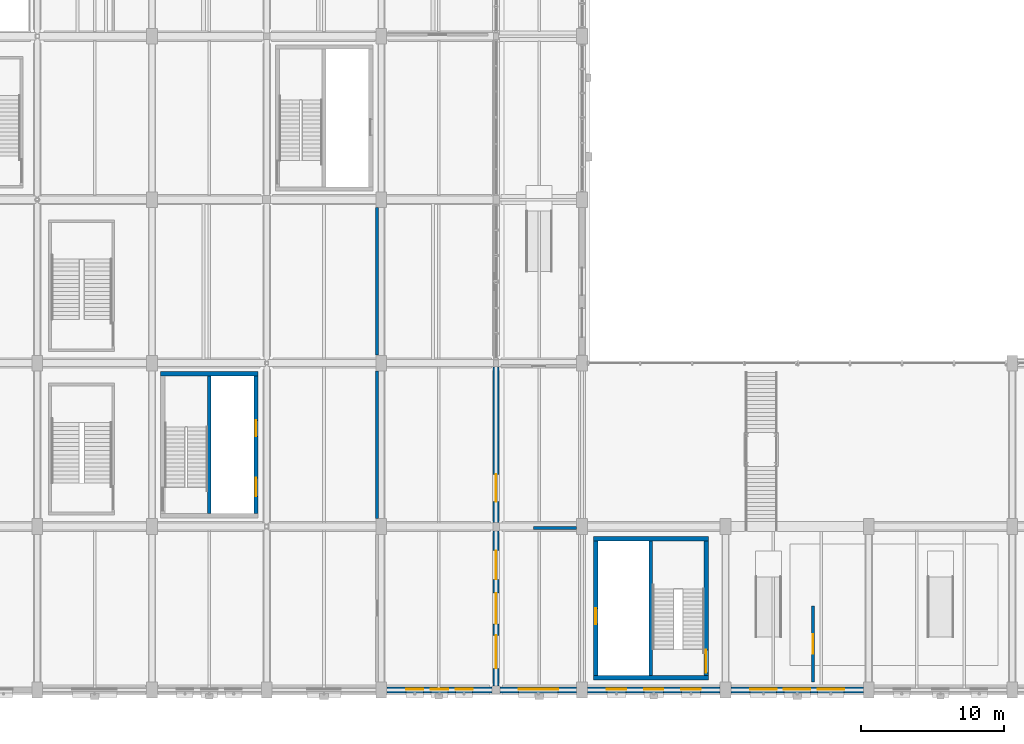
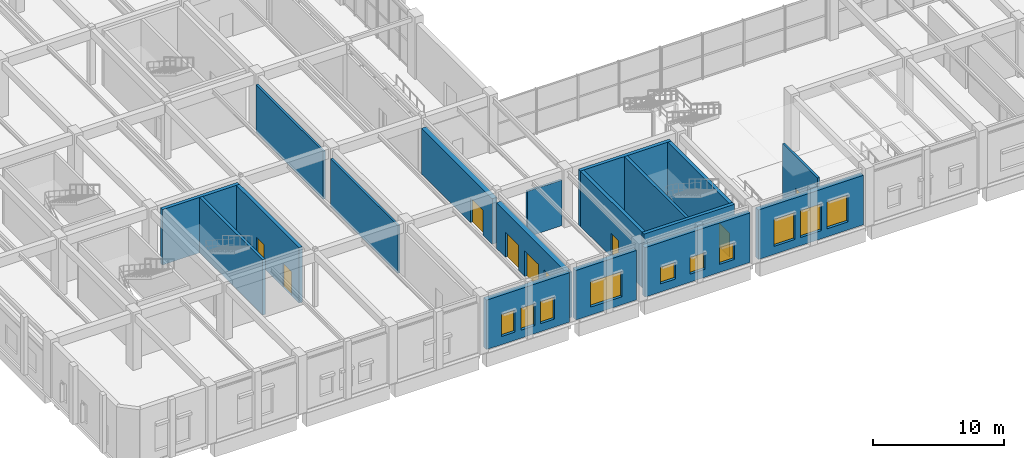
# One storey, part 83 of 113: 18 walls, 10 windows, 9 doors, 19 openings.
"""IFC4 building model written with IfcOpenShell, lengths in metres."""

from ifc_helpers import new_model, si_unit, direction, frame, frame_2d, origin, place, context, subcontext, project, spatial, rectangle, extrude, material, layer, layer_set, type_object, element, fill, save


model = new_model("IFC4")

# Units and contexts
model_context = context("Model", 3, precision=1e-05, world=origin(), true_north=direction((0.0, 1.0)))
body_context = subcontext(model_context, "Body", "Model", "MODEL_VIEW")
ifc_project = project(units=[si_unit("LENGTHUNIT", "METRE"), si_unit("AREAUNIT", "SQUARE_METRE"), si_unit("VOLUMEUNIT", "CUBIC_METRE"), si_unit("PLANEANGLEUNIT", "RADIAN"), si_unit("MASSUNIT", "GRAM", prefix="KILO"), si_unit("POWERUNIT", "WATT"), si_unit("THERMODYNAMICTEMPERATUREUNIT", "KELVIN")], contexts=[model_context])

# Site, building, storey
site_placement = place(None, origin())
site = spatial("IfcSite", under=ifc_project, at=site_placement, CompositionType="ELEMENT")
building_placement = place(site_placement, origin())
building = spatial("IfcBuilding", under=site, at=building_placement, Name="Kelmbourne Parkland Aquatics Centre", CompositionType="ELEMENT")
storey_placement = place(building_placement, origin())
storey = spatial("IfcBuildingStorey", under=building, at=storey_placement, Name="L00", CompositionType="ELEMENT", Elevation=0.0)

# Walls
ifc_material_1 = material(Name="Concrete C40/50", Category="concrete")
ifc_layer_1 = layer(ifc_material_1, 0.25)
ifc_layer_set_1 = layer_set([ifc_layer_1], Name="Concrete C40/50")
wall_type_1 = type_object("IfcWallType", Name="W-CORE-250", PredefinedType="SHEAR", material=ifc_layer_set_1)
wall_1_placement = place(storey_placement, frame((20.0, 13.10009765625, 0.0), z_axis=(0.0, 0.0, 1.0), x_axis=(0.0, 1.0, 0.0)))
element("IfcWall", 1, at=wall_1_placement, inside=storey, type_object=wall_type_1, Name="West Wing South Fire-Fighting Core divider wall (L00)", PredefinedType="SHEAR", context=body_context, shape_type="SweptSolid", body=[
    extrude(rectangle(XDim=9.599853515625, YDim=0.25, at=frame_2d((4.7998046875, 0.0))), origin(), (0.0, 0.0, 1.0), 5.159912109375),
])
wall_2_placement = place(storey_placement, frame((50.800048828125, 1.800048828125, 0.0), z_axis=(0.0, 0.0, 1.0), x_axis=(0.0, 1.0, 0.0)))
element("IfcWall", 2, at=wall_2_placement, inside=storey, type_object=wall_type_1, Name="South Entrance Foyer Gallery Core divider wall (L00)", PredefinedType="SHEAR", context=body_context, shape_type="SweptSolid", body=[
    extrude(rectangle(XDim=9.39990234375, YDim=0.25, at=frame_2d((4.699951171875, 0.0))), origin(), (0.0, 0.0, 1.0), 5.159912109375),
])
ifc_layer_2 = layer(ifc_material_1, 0.300048828125)
ifc_layer_set_2 = layer_set([ifc_layer_2], Name="Concrete C40/50")
wall_type_2 = type_object("IfcWallType", Name="W-CORE-300", PredefinedType="SHEAR", material=ifc_layer_set_2)
wall_3_placement = place(storey_placement, frame((16.60009765625, 22.85009765625, 0.0), z_axis=(0.0, 0.0, 1.0), x_axis=(1.0, 0.0, 0.0)))
element("IfcWall", 3, at=wall_3_placement, inside=storey, type_object=wall_type_2, Name="West Wing South Fire-Fighting Core north wall (L00)", PredefinedType="SHEAR", context=body_context, shape_type="SweptSolid", body=[
    extrude(rectangle(XDim=6.7998046875, YDim=0.300048828125, at=frame_2d((3.39990234375, 0.0))), origin(), (0.0, 0.0, 1.0), 5.159912109375),
])

# Wall, openings, doors
wall_4_placement = place(storey_placement, frame((23.25, 13.10009765625, 0.0), z_axis=(0.0, 0.0, 1.0), x_axis=(0.0, 1.0, 0.0)))
wall_4 = element("IfcWall", 4, at=wall_4_placement, inside=storey, type_object=wall_type_2, Name="West Wing South Fire-Fighting Core east wall (L00)", PredefinedType="SHEAR", context=body_context, shape_type="SweptSolid", body=[
    extrude(rectangle(XDim=9.599853515625, YDim=0.300048828125, at=frame_2d((4.7998046875, 0.0))), origin(), (0.0, 0.0, 1.0), 5.159912109375),
])
opening_1_placement = place(wall_4_placement, frame((1.199951171875, 0.0, 0.0)))
opening_1 = element("IfcOpeningElement", 5, at=opening_1_placement, cuts=wall_4, Name="Opening LD02", PredefinedType="OPENING", context=body_context, shape_type="SweptSolid", body=[
    extrude(rectangle(XDim=1.300048828125, YDim=2.199951171875, at=frame_2d((0.64990234375, 1.10009765625))), frame((0.0, 0.162109375, 0.0), z_axis=(0.0, -1.0, 0.0), x_axis=(1.0, 0.0, 0.0)), (0.0, 0.0, 1.0), 0.323974609375),
])
opening_2_placement = place(wall_4_placement, frame((5.39990234375, 0.0, 0.0)))
opening_2 = element("IfcOpeningElement", 6, at=opening_2_placement, cuts=wall_4, Name="Opening LD01", PredefinedType="OPENING", context=body_context, shape_type="SweptSolid", body=[
    extrude(rectangle(XDim=1.10009765625, YDim=2.199951171875, at=frame_2d((0.550048828125, 1.10009765625))), frame((0.0, 0.162109375, 0.0), z_axis=(0.0, -1.0, 0.0), x_axis=(1.0, 0.0, 0.0)), (0.0, 0.0, 1.0), 0.323974609375),
])
ifc_material_2 = material(Name="Marine-grade stainless steel and fire-rated hardwood doorset", Category="steel")
ifc_layer_3 = layer(ifc_material_2, 0.050048828125)
ifc_layer_set_3 = layer_set([ifc_layer_3], Name="Marine-grade stainless steel and fire-rated hardwood doorset")
door_type_1 = type_object("IfcDoorType", Name="DR-LD-110", OperationType="NOTDEFINED", PredefinedType="DOOR", material=ifc_layer_set_3)
door_1_placement = place(opening_2_placement, origin())
door_1 = element("IfcDoor", 7, at=door_1_placement, inside=storey, type_object=door_type_1, Name="Lift landing sliding door LF02 (L00)", OperationType="SLIDING_TO_RIGHT", OverallHeight=2.199951171875, OverallWidth=1.10009765625, PredefinedType="DOOR", context=body_context, shape_type="SweptSolid", body=[
    extrude(rectangle(XDim=1.10009765625, YDim=2.199951171875, at=frame_2d((0.550048828125, 1.10009765625))), frame((0.0, 0.02490234375, 0.0), z_axis=(0.0, -1.0, 0.0), x_axis=(1.0, 0.0, 0.0)), (0.0, 0.0, 1.0), 0.050048828125),
])
fill(opening_2, door_1)
ifc_layer_4 = layer(ifc_material_2, 0.050048828125)
ifc_layer_set_4 = layer_set([ifc_layer_4], Name="Marine-grade stainless steel and fire-rated hardwood doorset")
door_type_2 = type_object("IfcDoorType", Name="DR-LD-130", OperationType="NOTDEFINED", PredefinedType="DOOR", material=ifc_layer_set_4)
door_2_placement = place(opening_1_placement, origin())
door_2 = element("IfcDoor", 8, at=door_2_placement, inside=storey, type_object=door_type_2, Name="Lift landing sliding door LF01 (L00)", OperationType="SLIDING_TO_LEFT", OverallHeight=2.199951171875, OverallWidth=1.300048828125, PredefinedType="DOOR", context=body_context, shape_type="SweptSolid", body=[
    extrude(rectangle(XDim=1.300048828125, YDim=2.199951171875, at=frame_2d((0.64990234375, 1.10009765625))), frame((0.0, 0.02490234375, 0.0), z_axis=(0.0, -1.0, 0.0), x_axis=(1.0, 0.0, 0.0)), (0.0, 0.0, 1.0), 0.050048828125),
])
fill(opening_1, door_2)

# Walls
for number, where, z_axis, x_axis, name in (
    (9, (46.800048828125, 1.64990234375, 0.0), (0.0, 0.0, 1.0), (1.0, 0.0, 0.0), "South Entrance Foyer Gallery Core south wall (L00)"),
    (10, (46.800048828125, 11.35009765625, 0.0), (0.0, 0.0, 1.0), (1.0, 0.0, 0.0), "South Entrance Foyer Gallery Core north wall (L00)"),
):
    element("IfcWall", number, at=place(storey_placement, frame(where, z_axis=z_axis, x_axis=x_axis)), inside=storey, type_object=wall_type_2, Name=name, PredefinedType="SHEAR", context=body_context, shape_type="SweptSolid", body=[
        extrude(rectangle(XDim=8.0, YDim=0.300048828125, at=frame_2d((4.0, 0.0))), origin(), (0.0, 0.0, 1.0), 5.159912109375),
    ])

# Wall, opening, door
wall_5_placement = place(storey_placement, frame((46.949951171875, 1.800048828125, 0.0), z_axis=(0.0, 0.0, 1.0), x_axis=(0.0, 1.0, 0.0)))
wall_5 = element("IfcWall", 11, at=wall_5_placement, inside=storey, type_object=wall_type_2, Name="South Entrance Foyer Gallery Core west wall (L00)", PredefinedType="SHEAR", context=body_context, shape_type="SweptSolid", body=[
    extrude(rectangle(XDim=9.39990234375, YDim=0.300048828125, at=frame_2d((4.699951171875, 0.0))), origin(), (0.0, 0.0, 1.0), 5.159912109375),
])
opening_3_placement = place(wall_5_placement, frame((3.60009765625, 0.0, 0.0)))
opening_3 = element("IfcOpeningElement", 12, at=opening_3_placement, cuts=wall_5, Name="Opening LD01", PredefinedType="OPENING", context=body_context, shape_type="SweptSolid", body=[
    extrude(rectangle(XDim=1.10009765625, YDim=2.199951171875, at=frame_2d((0.550048828125, 1.10009765625))), frame((0.0, 0.162109375, 0.0), z_axis=(0.0, -1.0, 0.0), x_axis=(1.0, 0.0, 0.0)), (0.0, 0.0, 1.0), 0.323974609375),
])
door_3_placement = place(opening_3_placement, origin())
door_3 = element("IfcDoor", 13, at=door_3_placement, inside=storey, type_object=door_type_1, Name="Lift landing sliding door LF04 (L00)", OperationType="SLIDING_TO_LEFT", OverallHeight=2.199951171875, OverallWidth=1.10009765625, PredefinedType="DOOR", context=body_context, shape_type="SweptSolid", body=[
    extrude(rectangle(XDim=1.10009765625, YDim=2.199951171875, at=frame_2d((0.550048828125, 1.10009765625))), frame((0.0, 0.02490234375, 0.0), z_axis=(0.0, -1.0, 0.0), x_axis=(1.0, 0.0, 0.0)), (0.0, 0.0, 1.0), 0.050048828125),
])
fill(opening_3, door_3)

wall_6_placement = place(storey_placement, frame((54.64990234375, 1.800048828125, 0.0), z_axis=(0.0, 0.0, 1.0), x_axis=(0.0, 1.0, 0.0)))
wall_6 = element("IfcWall", 14, at=wall_6_placement, inside=storey, type_object=wall_type_2, Name="South Entrance Foyer Gallery Core east wall (L00)", PredefinedType="SHEAR", context=body_context, shape_type="SweptSolid", body=[
    extrude(rectangle(XDim=9.39990234375, YDim=0.300048828125, at=frame_2d((4.699951171875, 0.0))), origin(), (0.0, 0.0, 1.0), 5.159912109375),
])
opening_4_placement = place(wall_6_placement, frame((0.199951171875, 0.0, 0.0)))
opening_4 = element("IfcOpeningElement", 15, at=opening_4_placement, cuts=wall_6, Name="Opening FD02", PredefinedType="OPENING", context=body_context, shape_type="SweptSolid", body=[
    extrude(rectangle(XDim=1.60009765625, YDim=2.199951171875, at=frame_2d((0.800048828125, 1.10009765625))), frame((0.0, 0.162109375, 0.0), z_axis=(0.0, -1.0, 0.0), x_axis=(1.0, 0.0, 0.0)), (0.0, 0.0, 1.0), 0.323974609375),
])
ifc_layer_5 = layer(ifc_material_2, 0.050048828125)
ifc_layer_set_5 = layer_set([ifc_layer_5], Name="Marine-grade stainless steel and fire-rated hardwood doorset")
door_type_3 = type_object("IfcDoorType", Name="DR-FD-160", OperationType="NOTDEFINED", PredefinedType="DOOR", material=ifc_layer_set_5)
door_4_placement = place(opening_4_placement, frame((1.60009765625, 0.0, 0.0), z_axis=(0.0, 0.0, 1.0), x_axis=(-1.0, 0.0, 0.0)))
door_4 = element("IfcDoor", 16, at=door_4_placement, inside=storey, type_object=door_type_3, Name="Fire stair door ST03 (L00)", OperationType="DOUBLE_DOOR_SINGLE_SWING", OverallHeight=2.199951171875, OverallWidth=1.60009765625, PredefinedType="DOOR", context=body_context, shape_type="SweptSolid", body=[
    extrude(rectangle(XDim=1.60009765625, YDim=2.199951171875, at=frame_2d((0.800048828125, 1.10009765625))), frame((0.0, 0.02490234375, 0.0), z_axis=(0.0, -1.0, 0.0), x_axis=(1.0, 0.0, 0.0)), (0.0, 0.0, 1.0), 0.050048828125),
])
fill(opening_4, door_4)

# Wall, openings, windows
ifc_material_3 = material(Name="Dark manganite base-course brickwork", Category="masonry")
ifc_layer_6 = layer(ifc_material_3, 0.429931640625)
ifc_layer_set_6 = layer_set([ifc_layer_6], Name="Dark manganite base-course brickwork")
wall_type_3 = type_object("IfcWallType", Name="W-EXT-430", PredefinedType="STANDARD", material=ifc_layer_set_6)
wall_7_placement = place(storey_placement, frame((32.376953125, 0.800048828125, 0.0), z_axis=(0.0, 0.0, 1.0), x_axis=(1.0, 0.0, 0.0)))
wall_7 = element("IfcWall", 17, at=wall_7_placement, inside=storey, type_object=wall_type_3, Name="Exterior polychrome brick wall EW-L00-014", PredefinedType="STANDARD", context=body_context, shape_type="SweptSolid", body=[
    extrude(rectangle(XDim=7.345947265625, YDim=0.429931640625, at=frame_2d((3.6728515625, 0.0))), origin(), (0.0, 0.0, 1.0), 4.612060546875),
])
opening_5_placement = place(wall_7_placement, frame((1.35009765625, 0.0, 0.75)))
opening_5 = element("IfcOpeningElement", 18, at=opening_5_placement, cuts=wall_7, Name="Opening W08", PredefinedType="OPENING", context=body_context, shape_type="SweptSolid", body=[
    extrude(rectangle(XDim=1.199951171875, YDim=2.050048828125, at=frame_2d((0.60009765625, 1.02490234375))), frame((0.0, 0.22705078125, 0.0), z_axis=(0.0, -1.0, 0.0), x_axis=(1.0, 0.0, 0.0)), (0.0, 0.0, 1.0), 0.453857421875),
])
opening_6_placement = place(wall_7_placement, frame((3.072998046875, 0.0, 0.75)))
opening_6 = element("IfcOpeningElement", 19, at=opening_6_placement, cuts=wall_7, Name="Opening W08", PredefinedType="OPENING", context=body_context, shape_type="SweptSolid", body=[
    extrude(rectangle(XDim=1.199951171875, YDim=2.050048828125, at=frame_2d((0.60009765625, 1.02490234375))), frame((0.0, 0.22705078125, 0.0), z_axis=(0.0, -1.0, 0.0), x_axis=(1.0, 0.0, 0.0)), (0.0, 0.0, 1.0), 0.453857421875),
])
opening_7_placement = place(wall_7_placement, frame((4.7958984375, 0.0, 0.75)))
opening_7 = element("IfcOpeningElement", 20, at=opening_7_placement, cuts=wall_7, Name="Opening W08", PredefinedType="OPENING", context=body_context, shape_type="SweptSolid", body=[
    extrude(rectangle(XDim=1.199951171875, YDim=2.050048828125, at=frame_2d((0.60009765625, 1.02490234375))), frame((0.0, 0.22705078125, 0.0), z_axis=(0.0, -1.0, 0.0), x_axis=(1.0, 0.0, 0.0)), (0.0, 0.0, 1.0), 0.453857421875),
])
ifc_material_4 = material(Name="Thermally broken anodised aluminium window with low-e glass", Category="aluminium")
ifc_layer_7 = layer(ifc_material_4, 0.090087890625)
ifc_layer_set_7 = layer_set([ifc_layer_7], Name="Thermally broken anodised aluminium window with low-e glass")
window_type_1 = type_object("IfcWindowType", Name="WN-08", PartitioningType="SINGLE_PANEL", PredefinedType="WINDOW", material=ifc_layer_set_7)
window_1_placement = place(opening_5_placement, origin())
window_1 = element("IfcWindow", 21, at=window_1_placement, inside=storey, type_object=window_type_1, Name="Deep-reveal masonry window W08", OverallHeight=2.050048828125, OverallWidth=1.199951171875, PartitioningType="SINGLE_PANEL", PredefinedType="WINDOW", context=body_context, shape_type="SweptSolid", body=[
    extrude(rectangle(XDim=1.199951171875, YDim=2.050048828125, at=frame_2d((0.60009765625, 1.02490234375))), frame((0.0, 0.080078125, 0.0), z_axis=(0.0, -1.0, 0.0), x_axis=(1.0, 0.0, 0.0)), (0.0, 0.0, 1.0), 0.06005859375),
])
fill(opening_5, window_1)
window_2_placement = place(opening_6_placement, origin())
window_2 = element("IfcWindow", 22, at=window_2_placement, inside=storey, type_object=window_type_1, Name="Deep-reveal masonry window W08", OverallHeight=2.050048828125, OverallWidth=1.199951171875, PartitioningType="SINGLE_PANEL", PredefinedType="WINDOW", context=body_context, shape_type="SweptSolid", body=[
    extrude(rectangle(XDim=1.199951171875, YDim=2.050048828125, at=frame_2d((0.60009765625, 1.02490234375))), frame((0.0, 0.080078125, 0.0), z_axis=(0.0, -1.0, 0.0), x_axis=(1.0, 0.0, 0.0)), (0.0, 0.0, 1.0), 0.06005859375),
])
fill(opening_6, window_2)
window_3_placement = place(opening_7_placement, origin())
window_3 = element("IfcWindow", 23, at=window_3_placement, inside=storey, type_object=window_type_1, Name="Deep-reveal masonry window W08", OverallHeight=2.050048828125, OverallWidth=1.199951171875, PartitioningType="SINGLE_PANEL", PredefinedType="WINDOW", context=body_context, shape_type="SweptSolid", body=[
    extrude(rectangle(XDim=1.199951171875, YDim=2.050048828125, at=frame_2d((0.60009765625, 1.02490234375))), frame((0.0, 0.080078125, 0.0), z_axis=(0.0, -1.0, 0.0), x_axis=(1.0, 0.0, 0.0)), (0.0, 0.0, 1.0), 0.06005859375),
])
fill(opening_7, window_3)

# Wall, openings, doors
wall_8_placement = place(storey_placement, frame((40.0, 1.076904296875, 0.0), z_axis=(0.0, 0.0, 1.0), x_axis=(0.0, 1.0, 0.0)))
wall_8 = element("IfcWall", 24, at=wall_8_placement, inside=storey, type_object=wall_type_3, Name="Exterior polychrome brick wall EW-L00-020", PredefinedType="STANDARD", context=body_context, shape_type="SweptSolid", body=[
    extrude(rectangle(XDim=10.821044921875, YDim=0.429931640625, at=frame_2d((5.41064453125, 0.0))), origin(), (0.0, 0.0, 1.0), 4.2451171875),
])
opening_8_placement = place(wall_8_placement, frame((1.230712890625, 0.0, 0.0)))
opening_8 = element("IfcOpeningElement", 25, at=opening_8_placement, cuts=wall_8, Name="Opening E01", PredefinedType="OPENING", context=body_context, shape_type="SweptSolid", body=[
    extrude(rectangle(XDim=2.300048828125, YDim=2.39990234375, at=frame_2d((1.14990234375, 1.199951171875))), frame((0.0, 0.22705078125, 0.0), z_axis=(0.0, -1.0, 0.0), x_axis=(1.0, 0.0, 0.0)), (0.0, 0.0, 1.0), 0.453857421875),
])
opening_9_placement = place(wall_8_placement, frame((4.33544921875, 0.0, 0.0)))
opening_9 = element("IfcOpeningElement", 26, at=opening_9_placement, cuts=wall_8, Name="Opening E02", PredefinedType="OPENING", context=body_context, shape_type="SweptSolid", body=[
    extrude(rectangle(XDim=2.14990234375, YDim=2.39990234375, at=frame_2d((1.074951171875, 1.199951171875))), frame((0.0, 0.22705078125, 0.0), z_axis=(0.0, -1.0, 0.0), x_axis=(1.0, 0.0, 0.0)), (0.0, 0.0, 1.0), 0.453857421875),
])
opening_10_placement = place(wall_8_placement, frame((7.4404296875, 0.0, 0.0)))
opening_10 = element("IfcOpeningElement", 27, at=opening_10_placement, cuts=wall_8, Name="Opening E03", PredefinedType="OPENING", context=body_context, shape_type="SweptSolid", body=[
    extrude(rectangle(XDim=2.0, YDim=2.35009765625, at=frame_2d((1.0, 1.175048828125))), frame((0.0, 0.22705078125, 0.0), z_axis=(0.0, -1.0, 0.0), x_axis=(1.0, 0.0, 0.0)), (0.0, 0.0, 1.0), 0.453857421875),
])
ifc_material_5 = material(Name="Thermally broken anodised aluminium commercial door", Category="aluminium")
ifc_layer_8 = layer(ifc_material_5, 0.06005859375)
ifc_layer_set_8 = layer_set([ifc_layer_8], Name="Thermally broken anodised aluminium commercial door")
door_type_4 = type_object("IfcDoorType", Name="DR-EXT-200", OperationType="NOTDEFINED", PredefinedType="DOOR", material=ifc_layer_set_8)
door_5_placement = place(opening_10_placement, frame((2.0, 0.0, 0.0), z_axis=(0.0, 0.0, 1.0), x_axis=(-1.0, 0.0, 0.0)))
door_5 = element("IfcDoor", 28, at=door_5_placement, inside=storey, type_object=door_type_4, Name="Final exit double door E03", OperationType="DOUBLE_DOOR_SINGLE_SWING", OverallHeight=2.35009765625, OverallWidth=2.0, PredefinedType="DOOR", context=body_context, shape_type="SweptSolid", body=[
    extrude(rectangle(XDim=2.0, YDim=2.35009765625, at=frame_2d((1.0, 1.175048828125))), frame((0.0, 0.02490234375, 0.0), z_axis=(0.0, -1.0, 0.0), x_axis=(1.0, 0.0, 0.0)), (0.0, 0.0, 1.0), 0.050048828125),
])
fill(opening_10, door_5)
ifc_layer_9 = layer(ifc_material_5, 0.06005859375)
ifc_layer_set_9 = layer_set([ifc_layer_9], Name="Thermally broken anodised aluminium commercial door")
door_type_5 = type_object("IfcDoorType", Name="DR-EXT-215", OperationType="NOTDEFINED", PredefinedType="DOOR", material=ifc_layer_set_9)
door_6_placement = place(opening_9_placement, frame((2.14990234375, 0.0, 0.0), z_axis=(0.0, 0.0, 1.0), x_axis=(-1.0, 0.0, 0.0)))
door_6 = element("IfcDoor", 29, at=door_6_placement, inside=storey, type_object=door_type_5, Name="Final exit double door E02", OperationType="DOUBLE_DOOR_SINGLE_SWING", OverallHeight=2.39990234375, OverallWidth=2.14990234375, PredefinedType="DOOR", context=body_context, shape_type="SweptSolid", body=[
    extrude(rectangle(XDim=2.14990234375, YDim=2.39990234375, at=frame_2d((1.074951171875, 1.199951171875))), frame((0.0, 0.02490234375, 0.0), z_axis=(0.0, -1.0, 0.0), x_axis=(1.0, 0.0, 0.0)), (0.0, 0.0, 1.0), 0.050048828125),
])
fill(opening_9, door_6)
ifc_layer_10 = layer(ifc_material_5, 0.06005859375)
ifc_layer_set_10 = layer_set([ifc_layer_10], Name="Thermally broken anodised aluminium commercial door")
door_type_6 = type_object("IfcDoorType", Name="DR-EXT-230", OperationType="NOTDEFINED", PredefinedType="DOOR", material=ifc_layer_set_10)
door_7_placement = place(opening_8_placement, frame((2.300048828125, 0.0, 0.0), z_axis=(0.0, 0.0, 1.0), x_axis=(-1.0, 0.0, 0.0)))
door_7 = element("IfcDoor", 30, at=door_7_placement, inside=storey, type_object=door_type_6, Name="Final exit double door E01", OperationType="DOUBLE_DOOR_SINGLE_SWING", OverallHeight=2.39990234375, OverallWidth=2.300048828125, PredefinedType="DOOR", context=body_context, shape_type="SweptSolid", body=[
    extrude(rectangle(XDim=2.300048828125, YDim=2.39990234375, at=frame_2d((1.14990234375, 1.199951171875))), frame((0.0, 0.02490234375, 0.0), z_axis=(0.0, -1.0, 0.0), x_axis=(1.0, 0.0, 0.0)), (0.0, 0.0, 1.0), 0.050048828125),
])
fill(opening_8, door_7)

# Wall, opening, door
wall_9_placement = place(storey_placement, frame((40.0, 12.501953125, 0.0), z_axis=(0.0, 0.0, 1.0), x_axis=(0.0, 1.0, 0.0)))
wall_9 = element("IfcWall", 31, at=wall_9_placement, inside=storey, type_object=wall_type_3, Name="Exterior polychrome brick wall EW-L00-021", PredefinedType="STANDARD", context=body_context, shape_type="SweptSolid", body=[
    extrude(rectangle(XDim=10.845947265625, YDim=0.429931640625, at=frame_2d((5.4228515625, 0.0))), origin(), (0.0, 0.0, 1.0), 4.2451171875),
])
opening_11_placement = place(wall_9_placement, frame((1.43603515625, 0.0, 0.0)))
opening_11 = element("IfcOpeningElement", 32, at=opening_11_placement, cuts=wall_9, Name="Opening E04", PredefinedType="OPENING", context=body_context, shape_type="SweptSolid", body=[
    extrude(rectangle(XDim=1.89990234375, YDim=2.300048828125, at=frame_2d((0.949951171875, 1.14990234375))), frame((0.0, 0.22705078125, 0.0), z_axis=(0.0, -1.0, 0.0), x_axis=(1.0, 0.0, 0.0)), (0.0, 0.0, 1.0), 0.453857421875),
])
ifc_layer_11 = layer(ifc_material_5, 0.06005859375)
ifc_layer_set_11 = layer_set([ifc_layer_11], Name="Thermally broken anodised aluminium commercial door")
door_type_7 = type_object("IfcDoorType", Name="DR-EXT-190", OperationType="NOTDEFINED", PredefinedType="DOOR", material=ifc_layer_set_11)
door_8_placement = place(opening_11_placement, frame((1.89990234375, 0.0, 0.0), z_axis=(0.0, 0.0, 1.0), x_axis=(-1.0, 0.0, 0.0)))
door_8 = element("IfcDoor", 33, at=door_8_placement, inside=storey, type_object=door_type_7, Name="Final exit double door E04", OperationType="DOUBLE_DOOR_SINGLE_SWING", OverallHeight=2.300048828125, OverallWidth=1.89990234375, PredefinedType="DOOR", context=body_context, shape_type="SweptSolid", body=[
    extrude(rectangle(XDim=1.89990234375, YDim=2.300048828125, at=frame_2d((0.949951171875, 1.14990234375))), frame((0.0, 0.02490234375, 0.0), z_axis=(0.0, -1.0, 0.0), x_axis=(1.0, 0.0, 0.0)), (0.0, 0.0, 1.0), 0.050048828125),
])
fill(opening_11, door_8)

# Wall, opening, window
wall_10_placement = place(storey_placement, frame((40.277099609375, 0.800048828125, 0.0), z_axis=(0.0, 0.0, 1.0), x_axis=(1.0, 0.0, 0.0)))
wall_10 = element("IfcWall", 34, at=wall_10_placement, inside=storey, type_object=wall_type_3, Name="Exterior polychrome brick wall EW-L00-023", PredefinedType="STANDARD", context=body_context, shape_type="SweptSolid", body=[
    extrude(rectangle(XDim=5.345947265625, YDim=0.429931640625, at=frame_2d((2.6728515625, 0.0))), origin(), (0.0, 0.0, 1.0), 4.612060546875),
])
opening_12_placement = place(wall_10_placement, frame((1.298095703125, 0.0, 0.75)))
opening_12 = element("IfcOpeningElement", 35, at=opening_12_placement, cuts=wall_10, Name="Opening W20", PredefinedType="OPENING", context=body_context, shape_type="SweptSolid", body=[
    extrude(rectangle(XDim=2.75, YDim=2.35009765625, at=frame_2d((1.375, 1.175048828125))), frame((0.0, 0.22705078125, 0.0), z_axis=(0.0, -1.0, 0.0), x_axis=(1.0, 0.0, 0.0)), (0.0, 0.0, 1.0), 0.453857421875),
])
ifc_layer_12 = layer(ifc_material_4, 0.090087890625)
ifc_layer_set_12 = layer_set([ifc_layer_12], Name="Thermally broken anodised aluminium window with low-e glass")
window_type_2 = type_object("IfcWindowType", Name="WN-20", PartitioningType="TRIPLE_PANEL_VERTICAL", PredefinedType="WINDOW", material=ifc_layer_set_12)
window_4_placement = place(opening_12_placement, origin())
window_4 = element("IfcWindow", 36, at=window_4_placement, inside=storey, type_object=window_type_2, Name="Deep-reveal masonry window W20", OverallHeight=2.35009765625, OverallWidth=2.75, PartitioningType="TRIPLE_PANEL_VERTICAL", PredefinedType="WINDOW", context=body_context, shape_type="SweptSolid", body=[
    extrude(rectangle(XDim=2.75, YDim=2.35009765625, at=frame_2d((1.375, 1.175048828125))), frame((0.0, 0.080078125, 0.0), z_axis=(0.0, -1.0, 0.0), x_axis=(1.0, 0.0, 0.0)), (0.0, 0.0, 1.0), 0.06005859375),
])
fill(opening_12, window_4)

# Wall, openings, windows
wall_11_placement = place(storey_placement, frame((46.376953125, 0.800048828125, 0.0), z_axis=(0.0, 0.0, 1.0), x_axis=(1.0, 0.0, 0.0)))
wall_11 = element("IfcWall", 37, at=wall_11_placement, inside=storey, type_object=wall_type_3, Name="Exterior polychrome brick wall EW-L00-024", PredefinedType="STANDARD", context=body_context, shape_type="SweptSolid", body=[
    extrude(rectangle(XDim=9.24609375, YDim=0.429931640625, at=frame_2d((4.623046875, 0.0))), origin(), (0.0, 0.0, 1.0), 4.612060546875),
])
opening_13_placement = place(wall_11_placement, frame((1.35009765625, 0.0, 0.75)))
opening_13 = element("IfcOpeningElement", 38, at=opening_13_placement, cuts=wall_11, Name="Opening W22", PredefinedType="OPENING", context=body_context, shape_type="SweptSolid", body=[
    extrude(rectangle(XDim=1.35009765625, YDim=1.550048828125, at=frame_2d((0.675048828125, 0.77490234375))), frame((0.0, 0.22705078125, 0.0), z_axis=(0.0, -1.0, 0.0), x_axis=(1.0, 0.0, 0.0)), (0.0, 0.0, 1.0), 0.453857421875),
])
opening_14_placement = place(wall_11_placement, frame((3.947998046875, 0.0, 0.75)))
opening_14 = element("IfcOpeningElement", 39, at=opening_14_placement, cuts=wall_11, Name="Opening W22", PredefinedType="OPENING", context=body_context, shape_type="SweptSolid", body=[
    extrude(rectangle(XDim=1.35009765625, YDim=1.550048828125, at=frame_2d((0.675048828125, 0.77490234375))), frame((0.0, 0.22705078125, 0.0), z_axis=(0.0, -1.0, 0.0), x_axis=(1.0, 0.0, 0.0)), (0.0, 0.0, 1.0), 0.453857421875),
])
opening_15_placement = place(wall_11_placement, frame((6.5458984375, 0.0, 0.75)))
opening_15 = element("IfcOpeningElement", 40, at=opening_15_placement, cuts=wall_11, Name="Opening W22", PredefinedType="OPENING", context=body_context, shape_type="SweptSolid", body=[
    extrude(rectangle(XDim=1.35009765625, YDim=1.550048828125, at=frame_2d((0.675048828125, 0.77490234375))), frame((0.0, 0.22705078125, 0.0), z_axis=(0.0, -1.0, 0.0), x_axis=(1.0, 0.0, 0.0)), (0.0, 0.0, 1.0), 0.453857421875),
])
ifc_layer_13 = layer(ifc_material_4, 0.090087890625)
ifc_layer_set_13 = layer_set([ifc_layer_13], Name="Thermally broken anodised aluminium window with low-e glass")
window_type_3 = type_object("IfcWindowType", Name="WN-22", PartitioningType="DOUBLE_PANEL_VERTICAL", PredefinedType="WINDOW", material=ifc_layer_set_13)
window_5_placement = place(opening_13_placement, origin())
window_5 = element("IfcWindow", 41, at=window_5_placement, inside=storey, type_object=window_type_3, Name="Deep-reveal masonry window W22", OverallHeight=1.550048828125, OverallWidth=1.35009765625, PartitioningType="DOUBLE_PANEL_VERTICAL", PredefinedType="WINDOW", context=body_context, shape_type="SweptSolid", body=[
    extrude(rectangle(XDim=1.35009765625, YDim=1.550048828125, at=frame_2d((0.675048828125, 0.77490234375))), frame((0.0, 0.080078125, 0.0), z_axis=(0.0, -1.0, 0.0), x_axis=(1.0, 0.0, 0.0)), (0.0, 0.0, 1.0), 0.06005859375),
])
fill(opening_13, window_5)
window_6_placement = place(opening_14_placement, origin())
window_6 = element("IfcWindow", 42, at=window_6_placement, inside=storey, type_object=window_type_3, Name="Deep-reveal masonry window W22", OverallHeight=1.550048828125, OverallWidth=1.35009765625, PartitioningType="DOUBLE_PANEL_VERTICAL", PredefinedType="WINDOW", context=body_context, shape_type="SweptSolid", body=[
    extrude(rectangle(XDim=1.35009765625, YDim=1.550048828125, at=frame_2d((0.675048828125, 0.77490234375))), frame((0.0, 0.080078125, 0.0), z_axis=(0.0, -1.0, 0.0), x_axis=(1.0, 0.0, 0.0)), (0.0, 0.0, 1.0), 0.06005859375),
])
fill(opening_14, window_6)
window_7_placement = place(opening_15_placement, origin())
window_7 = element("IfcWindow", 43, at=window_7_placement, inside=storey, type_object=window_type_3, Name="Deep-reveal masonry window W22", OverallHeight=1.550048828125, OverallWidth=1.35009765625, PartitioningType="DOUBLE_PANEL_VERTICAL", PredefinedType="WINDOW", context=body_context, shape_type="SweptSolid", body=[
    extrude(rectangle(XDim=1.35009765625, YDim=1.550048828125, at=frame_2d((0.675048828125, 0.77490234375))), frame((0.0, 0.080078125, 0.0), z_axis=(0.0, -1.0, 0.0), x_axis=(1.0, 0.0, 0.0)), (0.0, 0.0, 1.0), 0.06005859375),
])
fill(opening_15, window_7)

wall_12_placement = place(storey_placement, frame((56.376953125, 0.800048828125, 0.0), z_axis=(0.0, 0.0, 1.0), x_axis=(1.0, 0.0, 0.0)))
wall_12 = element("IfcWall", 44, at=wall_12_placement, inside=storey, type_object=wall_type_3, Name="Exterior polychrome brick wall EW-L00-025", PredefinedType="STANDARD", context=body_context, shape_type="SweptSolid", body=[
    extrude(rectangle(XDim=9.24609375, YDim=0.429931640625, at=frame_2d((4.623046875, 0.0))), origin(), (0.0, 0.0, 1.0), 4.612060546875),
])
opening_16_placement = place(wall_12_placement, frame((1.35009765625, 0.0, 0.75)))
opening_16 = element("IfcOpeningElement", 45, at=opening_16_placement, cuts=wall_12, Name="Opening W26", PredefinedType="OPENING", context=body_context, shape_type="SweptSolid", body=[
    extrude(rectangle(XDim=1.85009765625, YDim=2.5, at=frame_2d((0.925048828125, 1.25))), frame((0.0, 0.22705078125, 0.0), z_axis=(0.0, -1.0, 0.0), x_axis=(1.0, 0.0, 0.0)), (0.0, 0.0, 1.0), 0.453857421875),
])
opening_17_placement = place(wall_12_placement, frame((3.697998046875, 0.0, 0.75)))
opening_17 = element("IfcOpeningElement", 46, at=opening_17_placement, cuts=wall_12, Name="Opening W26", PredefinedType="OPENING", context=body_context, shape_type="SweptSolid", body=[
    extrude(rectangle(XDim=1.85009765625, YDim=2.5, at=frame_2d((0.925048828125, 1.25))), frame((0.0, 0.22705078125, 0.0), z_axis=(0.0, -1.0, 0.0), x_axis=(1.0, 0.0, 0.0)), (0.0, 0.0, 1.0), 0.453857421875),
])
opening_18_placement = place(wall_12_placement, frame((6.0458984375, 0.0, 0.75)))
opening_18 = element("IfcOpeningElement", 47, at=opening_18_placement, cuts=wall_12, Name="Opening W26", PredefinedType="OPENING", context=body_context, shape_type="SweptSolid", body=[
    extrude(rectangle(XDim=1.85009765625, YDim=2.5, at=frame_2d((0.925048828125, 1.25))), frame((0.0, 0.22705078125, 0.0), z_axis=(0.0, -1.0, 0.0), x_axis=(1.0, 0.0, 0.0)), (0.0, 0.0, 1.0), 0.453857421875),
])
ifc_layer_14 = layer(ifc_material_4, 0.090087890625)
ifc_layer_set_14 = layer_set([ifc_layer_14], Name="Thermally broken anodised aluminium window with low-e glass")
window_type_4 = type_object("IfcWindowType", Name="WN-26", PartitioningType="DOUBLE_PANEL_VERTICAL", PredefinedType="WINDOW", material=ifc_layer_set_14)
window_8_placement = place(opening_16_placement, origin())
window_8 = element("IfcWindow", 48, at=window_8_placement, inside=storey, type_object=window_type_4, Name="Deep-reveal masonry window W26", OverallHeight=2.5, OverallWidth=1.85009765625, PartitioningType="DOUBLE_PANEL_VERTICAL", PredefinedType="WINDOW", context=body_context, shape_type="SweptSolid", body=[
    extrude(rectangle(XDim=1.85009765625, YDim=2.5, at=frame_2d((0.925048828125, 1.25))), frame((0.0, 0.080078125, 0.0), z_axis=(0.0, -1.0, 0.0), x_axis=(1.0, 0.0, 0.0)), (0.0, 0.0, 1.0), 0.06005859375),
])
fill(opening_16, window_8)
window_9_placement = place(opening_17_placement, origin())
window_9 = element("IfcWindow", 49, at=window_9_placement, inside=storey, type_object=window_type_4, Name="Deep-reveal masonry window W26", OverallHeight=2.5, OverallWidth=1.85009765625, PartitioningType="DOUBLE_PANEL_VERTICAL", PredefinedType="WINDOW", context=body_context, shape_type="SweptSolid", body=[
    extrude(rectangle(XDim=1.85009765625, YDim=2.5, at=frame_2d((0.925048828125, 1.25))), frame((0.0, 0.080078125, 0.0), z_axis=(0.0, -1.0, 0.0), x_axis=(1.0, 0.0, 0.0)), (0.0, 0.0, 1.0), 0.06005859375),
])
fill(opening_17, window_9)
window_10_placement = place(opening_18_placement, origin())
window_10 = element("IfcWindow", 50, at=window_10_placement, inside=storey, type_object=window_type_4, Name="Deep-reveal masonry window W26", OverallHeight=2.5, OverallWidth=1.85009765625, PartitioningType="DOUBLE_PANEL_VERTICAL", PredefinedType="WINDOW", context=body_context, shape_type="SweptSolid", body=[
    extrude(rectangle(XDim=1.85009765625, YDim=2.5, at=frame_2d((0.925048828125, 1.25))), frame((0.0, 0.080078125, 0.0), z_axis=(0.0, -1.0, 0.0), x_axis=(1.0, 0.0, 0.0)), (0.0, 0.0, 1.0), 0.06005859375),
])
fill(opening_18, window_10)

# Wall, opening, door
ifc_material_6 = material(Name="Concrete blockwork C32/40", Category="masonry")
ifc_layer_15 = layer(ifc_material_6, 0.18994140625)
ifc_layer_set_15 = layer_set([ifc_layer_15], Name="Concrete blockwork C32/40")
wall_type_4 = type_object("IfcWallType", Name="W-SOLID-190", PredefinedType="SOLIDWALL", material=ifc_layer_set_15)
wall_13_placement = place(storey_placement, frame((62.10009765625, 1.35009765625, 0.0), z_axis=(0.0, 0.0, 1.0), x_axis=(0.0, 1.0, 0.0)))
wall_13 = element("IfcWall", 51, at=wall_13_placement, inside=storey, type_object=wall_type_4, Name="Interior partition PT-L00-026", PredefinedType="SOLIDWALL", context=body_context, shape_type="SweptSolid", body=[
    extrude(rectangle(XDim=5.2998046875, YDim=0.18994140625, at=frame_2d((2.64990234375, 0.0))), origin(), (0.0, 0.0, 1.0), 5.159912109375),
])
opening_19_placement = place(wall_13_placement, frame((1.97509765625, 0.0, 0.0)))
opening_19 = element("IfcOpeningElement", 52, at=opening_19_placement, cuts=wall_13, Name="Opening ID08", PredefinedType="OPENING", context=body_context, shape_type="SweptSolid", body=[
    extrude(rectangle(XDim=1.35009765625, YDim=2.199951171875, at=frame_2d((0.675048828125, 1.10009765625))), frame((0.0, 0.10693359375, 0.0), z_axis=(0.0, -1.0, 0.0), x_axis=(1.0, 0.0, 0.0)), (0.0, 0.0, 1.0), 0.2138671875),
])
ifc_material_7 = material(Name="Marine-grade stainless steel and solid-core hardwood doorset", Category="timber")
ifc_layer_16 = layer(ifc_material_7, 0.050048828125)
ifc_layer_set_16 = layer_set([ifc_layer_16], Name="Marine-grade stainless steel and solid-core hardwood doorset")
door_type_8 = type_object("IfcDoorType", Name="DR-INT-135", OperationType="NOTDEFINED", PredefinedType="DOOR", material=ifc_layer_set_16)
door_9_placement = place(opening_19_placement, origin())
door_9 = element("IfcDoor", 53, at=door_9_placement, inside=storey, type_object=door_type_8, Name="Interior door ID08 (L00-015)", OperationType="DOUBLE_DOOR_SINGLE_SWING", OverallHeight=2.199951171875, OverallWidth=1.35009765625, PredefinedType="DOOR", context=body_context, shape_type="SweptSolid", body=[
    extrude(rectangle(XDim=1.35009765625, YDim=2.199951171875, at=frame_2d((0.675048828125, 1.10009765625))), frame((0.0, 0.02490234375, 0.0), z_axis=(0.0, -1.0, 0.0), x_axis=(1.0, 0.0, 0.0)), (0.0, 0.0, 1.0), 0.050048828125),
])
fill(opening_19, door_9)

# Walls
wall_14_placement = place(storey_placement, frame((42.60009765625, 12.10009765625, 0.0), z_axis=(0.0, 0.0, 1.0), x_axis=(1.0, 0.0, 0.0)))
element("IfcWall", 54, at=wall_14_placement, inside=storey, type_object=wall_type_4, Name="Interior partition PT-L00-032", PredefinedType="SOLIDWALL", context=body_context, shape_type="SweptSolid", body=[
    extrude(rectangle(XDim=3.02294921875, YDim=0.18994140625, at=frame_2d((1.511474609375, 0.0))), origin(), (0.0, 0.0, 1.0), 4.2451171875),
])
wall_15_placement = place(storey_placement, frame((31.699951171875, 12.751953125, 0.0), z_axis=(0.0, 0.0, 1.0), x_axis=(0.0, 1.0, 0.0)))
element("IfcWall", 55, at=wall_15_placement, inside=storey, type_object=wall_type_4, Name="Interior partition PT-L00-050", PredefinedType="SOLIDWALL", context=body_context, shape_type="SweptSolid", body=[
    extrude(rectangle(XDim=10.296142578125, YDim=0.18994140625, at=frame_2d((5.14794921875, 0.0))), origin(), (0.0, 0.0, 1.0), 4.445068359375),
])
wall_16_placement = place(storey_placement, frame((31.699951171875, 24.152099609375, 0.0), z_axis=(0.0, 0.0, 1.0), x_axis=(0.0, 1.0, 0.0)))
element("IfcWall", 56, at=wall_16_placement, inside=storey, type_object=wall_type_4, Name="Interior partition PT-L00-051", PredefinedType="SOLIDWALL", context=body_context, shape_type="SweptSolid", body=[
    extrude(rectangle(XDim=10.2958984375, YDim=0.18994140625, at=frame_2d((5.14794921875, 0.0))), origin(), (0.0, 0.0, 1.0), 4.445068359375),
])

save(model, "model.ifc")
